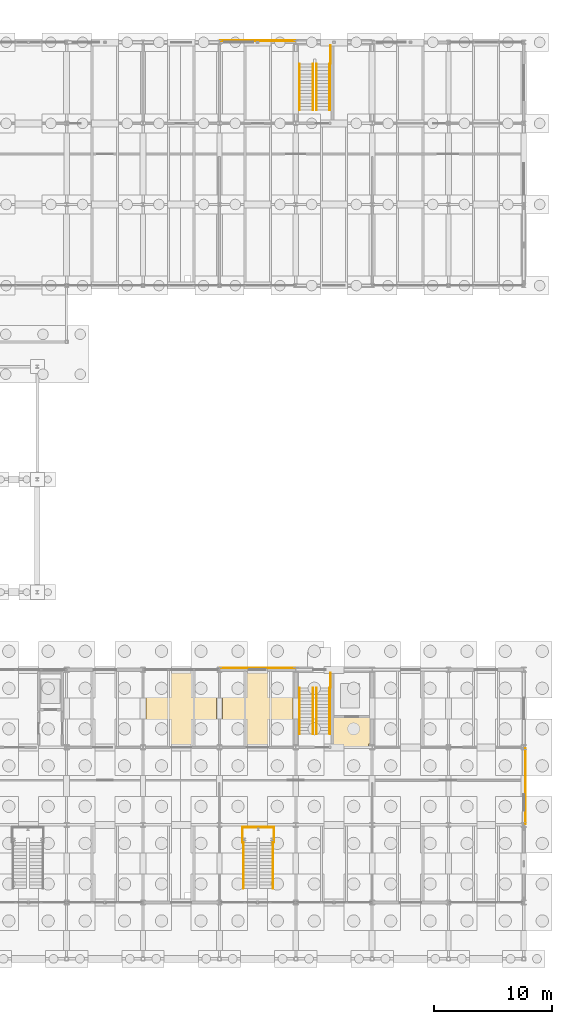
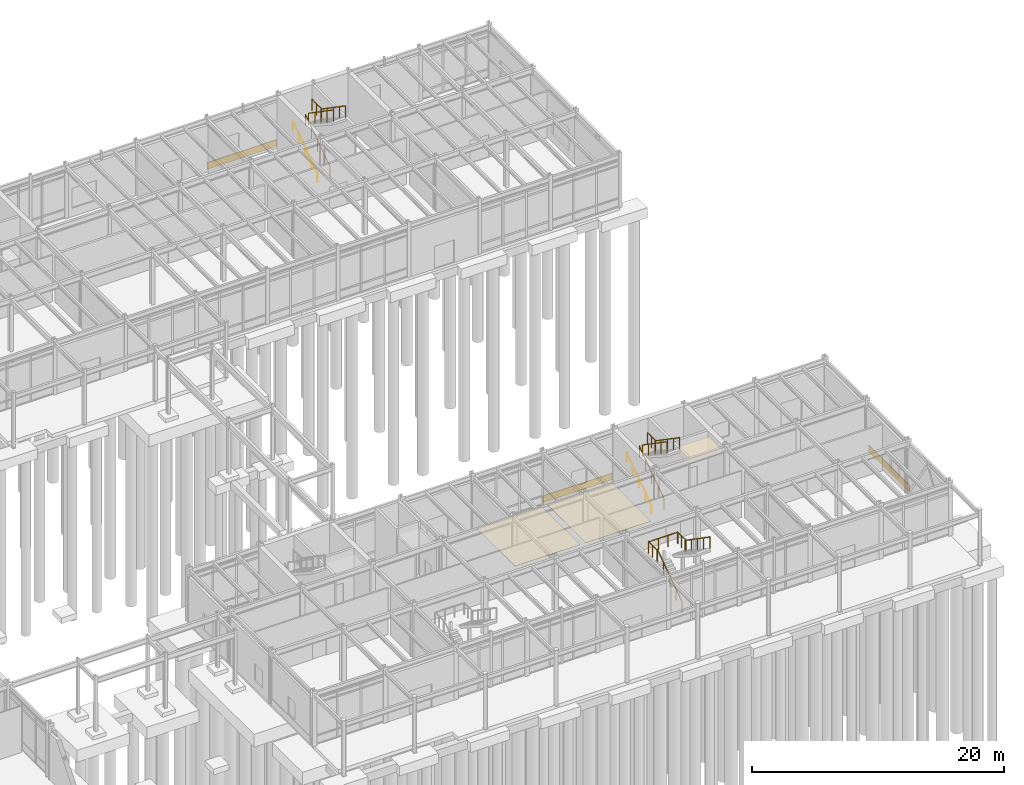
# One storey, part 81 of 82: 15 railings, 6 coverings.
"""IFC4 building model written with IfcOpenShell, lengths in metres."""

import ifcopenshell
import ifcopenshell.guid

model = None  # the IFC model being written
_history = None  # IfcOwnerHistory: only IFC2X3 demands one
_inside = {}  # id of a spatial element -> (the spatial element, [elements in it])
_under = {}  # id of a project, library or spatial element -> (it, [spatial elements below it])
_declared = {}  # id of a project -> (the project, [libraries it declares])
_typed = {}  # id of a type object -> (the type object, [elements of that type])
_made_of = {}  # id of a material, layer set ... -> (it, [elements and type objects made of it])


def new_model(schema):
    """Start an empty IFC model of exactly this schema.

    Asked for "IFC4X3", IfcOpenShell would pick the latest addendum, in which some entities
    have other attributes; the version numbers below select the first issue.
    IFC2X3 requires an IfcOwnerHistory on every rooted entity: one is made here for all.
    """
    global model, _history
    if schema == "IFC4X3":
        model = ifcopenshell.file(schema_version=(4, 3, 0, 0))
    else:
        model = ifcopenshell.file(schema=schema)
    _inside.clear()
    _under.clear()
    _declared.clear()
    _typed.clear()
    _made_of.clear()
    _history = None
    if model.schema == "IFC2X3":
        org = make("IfcOrganization", Name="unknown")
        user = make(
            "IfcPersonAndOrganization",
            ThePerson=make("IfcPerson", FamilyName="unknown"),
            TheOrganization=org,
        )
        app = make(
            "IfcApplication",
            ApplicationDeveloper=org,
            Version="unknown",
            ApplicationFullName="unknown",
            ApplicationIdentifier="unknown",
        )
        _history = make(
            "IfcOwnerHistory",
            OwningUser=user,
            OwningApplication=app,
            ChangeAction="ADDED",
            CreationDate=0,
        )
    return model


def make(cls, **values):
    """One entity of the class cls with the attributes given. An attribute that is None is left unset."""
    return model.create_entity(
        cls, **{name: value for name, value in values.items() if value is not None}
    )


def rooted(cls, **values):
    """An entity with a GlobalId (a new one), such as an element, a storey or a relation."""
    return make(cls, GlobalId=ifcopenshell.guid.new(), OwnerHistory=_history, **values)


def si_unit(unit_type, name, prefix=None):
    """IfcSIUnit, for example si_unit("LENGTHUNIT", "METRE", prefix="MILLI")."""
    return make("IfcSIUnit", UnitType=unit_type, Prefix=prefix, Name=name)


def assignment(units):
    """IfcUnitAssignment: the units of a project."""
    return None if units is None else make("IfcUnitAssignment", Units=units)


def point(xyz):
    """IfcCartesianPoint."""
    return None if xyz is None else make("IfcCartesianPoint", Coordinates=xyz)


def direction(xyz):
    """IfcDirection."""
    return None if xyz is None else make("IfcDirection", DirectionRatios=xyz)


def frame(location, z_axis=None, x_axis=None):
    """IfcAxis2Placement3D, a coordinate frame: its origin and axes. An axis left out is left unset."""
    return make(
        "IfcAxis2Placement3D",
        Location=point(location),
        Axis=direction(z_axis),
        RefDirection=direction(x_axis),
    )


def frame_2d(location, x_axis=None):
    """IfcAxis2Placement2D, a coordinate frame in the plane: its origin and x axis."""
    return make(
        "IfcAxis2Placement2D", Location=point(location), RefDirection=direction(x_axis)
    )


def origin():
    """The frame at (0, 0, 0) with its axes left unset."""
    return frame((0.0, 0.0, 0.0))


def origin_2d():
    """The frame at (0, 0) in the plane with its x axis left unset."""
    return frame_2d((0.0, 0.0))


def place(relative_to, where):
    """IfcLocalPlacement: puts the frame where relative to a parent placement (None: the world)."""
    return make(
        "IfcLocalPlacement", PlacementRelTo=relative_to, RelativePlacement=where
    )


def context(
    kind, dimensions, precision=None, world=None, true_north=None, identifier=None
):
    """IfcGeometricRepresentationContext, for example the 3D "Model" context."""
    return make(
        "IfcGeometricRepresentationContext",
        ContextIdentifier=identifier,
        ContextType=kind,
        CoordinateSpaceDimension=dimensions,
        Precision=precision,
        WorldCoordinateSystem=world,
        TrueNorth=true_north,
    )


def subcontext(parent, identifier, kind, view, scale=None):
    """IfcGeometricRepresentationSubContext, for example "Body" below "Model"."""
    return make(
        "IfcGeometricRepresentationSubContext",
        ContextIdentifier=identifier,
        ContextType=kind,
        ParentContext=parent,
        TargetScale=scale,
        TargetView=view,
    )


def project(units=None, contexts=None):
    """IfcProject with its units and contexts."""
    return rooted(
        "IfcProject",
        Name="project",
        RepresentationContexts=contexts,
        UnitsInContext=assignment(units),
    )


def spatial(cls, under=None, at=None, **own):
    """A site, building, storey or space (cls), placed at a placement, below another one or the project."""
    s = rooted(cls, ObjectPlacement=at, **own)
    if under is not None:
        _under.setdefault(under.id(), (under, []))[1].append(s)
    return s


def polyline(points):
    """IfcPolyline through the points."""
    return make("IfcPolyline", Points=[point(p) for p in points])


def profile(cls, at=None, kind="AREA", **sizes):
    """A parametric profile (cls). Its sizes go by their IFC names, for example OverallWidth=200.0."""
    return make(cls, ProfileType=kind, Position=at, **sizes)


def rectangle(**sizes):
    """IfcRectangleProfileDef."""
    return profile("IfcRectangleProfileDef", **sizes)


def circle(**sizes):
    """IfcCircleProfileDef."""
    return profile("IfcCircleProfileDef", **sizes)


def outline(outer, holes=None, kind="AREA"):
    """IfcArbitraryClosedProfileDef: a profile drawn as a closed curve; with holes, ...WithVoids."""
    if holes is None:
        return make("IfcArbitraryClosedProfileDef", ProfileType=kind, OuterCurve=outer)
    return make(
        "IfcArbitraryProfileDefWithVoids",
        ProfileType=kind,
        OuterCurve=outer,
        InnerCurves=holes,
    )


def extrude(swept, where, along, depth):
    """IfcExtrudedAreaSolid: the profile swept, set in the frame where, extruded along a direction by depth."""
    return make(
        "IfcExtrudedAreaSolid",
        SweptArea=swept,
        Position=where,
        ExtrudedDirection=direction(along),
        Depth=depth,
    )


def shape(context_of_items, identifier, shape_type, items):
    """IfcShapeRepresentation: the items that make up one representation, for example the "Body"."""
    return make(
        "IfcShapeRepresentation",
        ContextOfItems=context_of_items,
        RepresentationIdentifier=identifier,
        RepresentationType=shape_type,
        Items=items,
    )


def material(Name=None, Category=None):
    """IfcMaterial."""
    return make("IfcMaterial", Name=Name, Category=Category)


def layer(
    of_material, thickness, ventilated=None, Name=None, Category=None, Priority=None
):
    """IfcMaterialLayer: one layer of a wall or slab, of a material (None: an air gap)."""
    return make(
        "IfcMaterialLayer",
        Material=of_material,
        LayerThickness=thickness,
        IsVentilated=ventilated,
        Name=Name,
        Category=Category,
        Priority=Priority,
    )


def layer_set(layers, Name=None):
    """IfcMaterialLayerSet."""
    return make("IfcMaterialLayerSet", MaterialLayers=layers, LayerSetName=Name)


def made_of(thing, what):
    """Note that an element or type object is made of a material, layer set ...; save() writes the relation."""
    if what is not None:
        _made_of.setdefault(what.id(), (what, []))[1].append(thing)
    return thing


def type_object(cls, material=None, **own):
    """A type object (cls), such as IfcWallType, which elements share."""
    return made_of(rooted(cls, **own), material)


def element(
    cls,
    number,
    at=None,
    inside=None,
    cuts=None,
    type_object=None,
    material=None,
    context=None,
    identifier="Body",
    shape_type=None,
    held_by="IfcProductDefinitionShape",
    body=None,
    shapes=None,
    **own,
):
    """One element of the class cls, such as IfcWall. Its Tag is "e" and its number.

    at: its placement. inside: the storey or other place that contains it. cuts: it is an
    opening in that element (IfcRelVoidsElement). A single representation is given by context,
    identifier, shape_type and body (its items); several are given by shapes. held_by: the class
    of the entity that holds the representations. save() writes the other relations.
    """
    e = rooted(cls, Tag="e%d" % number, ObjectPlacement=at, **own)
    if body is not None:
        shapes = [shape(context, identifier, shape_type, body)]
    if shapes is not None:
        e.Representation = make(held_by, Representations=shapes)
    if inside is not None:
        _inside.setdefault(inside.id(), (inside, []))[1].append(e)
    if cuts is not None:
        rooted(
            "IfcRelVoidsElement", RelatingBuildingElement=cuts, RelatedOpeningElement=e
        )
    if type_object is not None:
        _typed.setdefault(type_object.id(), (type_object, []))[1].append(e)
    return made_of(e, material)


def aggregate(whole, parts):
    """IfcRelAggregates: a whole, such as a stair, and the parts it consists of."""
    return rooted("IfcRelAggregates", RelatingObject=whole, RelatedObjects=parts)


def save(model, path):
    """Write the relations noted so far, then the file.

    IfcRelAggregates (storeys below a building ...), IfcRelContainedInSpatialStructure (elements
    in a storey), IfcRelDefinesByType, IfcRelAssociatesMaterial and IfcRelDeclares: one each for
    every whole, place, type object, material and project.
    """
    for whole, parts in _under.values():
        aggregate(whole, parts)
    for where, things in _inside.values():
        rooted(
            "IfcRelContainedInSpatialStructure",
            RelatedElements=things,
            RelatingStructure=where,
        )
    for kind, things in _typed.values():
        rooted("IfcRelDefinesByType", RelatedObjects=things, RelatingType=kind)
    for what, things in _made_of.values():
        rooted("IfcRelAssociatesMaterial", RelatedObjects=things, RelatingMaterial=what)
    for by, libraries in _declared.values():
        rooted("IfcRelDeclares", RelatingContext=by, RelatedDefinitions=libraries)
    model.write(path)


model = new_model("IFC4")

# Units and contexts
model_context = context("Model", 3, precision=1e-05, world=origin(), true_north=direction((0.0, 1.0)))
body_context = subcontext(model_context, "Body", "Model", "MODEL_VIEW")
ifc_project = project(units=[si_unit("LENGTHUNIT", "METRE"), si_unit("AREAUNIT", "SQUARE_METRE"), si_unit("VOLUMEUNIT", "CUBIC_METRE"), si_unit("PLANEANGLEUNIT", "RADIAN"), si_unit("MASSUNIT", "GRAM", prefix="KILO")], contexts=[model_context])

# Site, building, storey
site_placement = place(None, origin())
site = spatial("IfcSite", under=ifc_project, at=site_placement, CompositionType="ELEMENT")
building_placement = place(site_placement, origin())
building = spatial("IfcBuilding", under=site, at=building_placement, Name="Trelmorton Wharf Fire Station", CompositionType="ELEMENT")
storey_placement = place(building_placement, origin())
storey = spatial("IfcBuildingStorey", under=building, at=storey_placement, Name="L00", CompositionType="ELEMENT", Elevation=0.0)

# Coverings
ifc_material_1 = material(Name="Mineral fibre acoustic ceiling")
ifc_layer_1 = layer(ifc_material_1, 0.02001953125)
ifc_layer_set_1 = layer_set([ifc_layer_1], Name="Mineral fibre acoustic ceiling")
covering_type_1 = type_object("IfcCoveringType", Name="CV_CEIL_ACOU", PredefinedType="CEILING", material=ifc_layer_set_1)
covering_1_placement = place(storey_placement, frame((0.0, 0.0, 4.47998046875)))
element("IfcCovering", 1, at=covering_1_placement, inside=storey, type_object=covering_type_1, Name="CV-CLG-023", PredefinedType="CEILING", context=body_context, shape_type="SweptSolid", body=[
    extrude(outline(polyline([(146.159912109375, 21.0400390625), (146.159912109375, 23.56005859375), (149.4599609375, 23.56005859375), (149.4599609375, 21.300048828125), (149.199951171875, 21.300048828125), (149.199951171875, 21.0400390625), (146.159912109375, 21.0400390625)])), origin(), (0.0, 0.0, 1.0), 0.02001953125),
])
ifc_material_2 = material(Name="Architectural terracotta cladding", Category="masonry")
ifc_layer_2 = layer(ifc_material_2, 0.044921875)
ifc_layer_set_2 = layer_set([ifc_layer_2], Name="Architectural terracotta cladding")
covering_type_2 = type_object("IfcCoveringType", Name="CV_CLAD_TER", PredefinedType="CLADDING", material=ifc_layer_set_2)
covering_2_placement = place(storey_placement, frame((139.75, 27.764892578125, 0.0302734375), z_axis=(0.0, 0.0, 1.0), x_axis=(1.0, 0.0, 0.0)))
element("IfcCovering", 2, at=covering_2_placement, inside=storey, type_object=covering_type_2, Name="CV-TER-0006", PredefinedType="CLADDING", context=body_context, shape_type="SweptSolid", body=[
    extrude(rectangle(XDim=6.3701171875, YDim=0.044921875, at=origin_2d()), origin(), (0.0, 0.0, 1.0), 0.659912109375),
])
covering_3_placement = place(storey_placement, frame((162.56494140625, 17.699951171875, 0.0302734375), z_axis=(0.0, 0.0, 1.0), x_axis=(0.0, -1.0, 0.0)))
element("IfcCovering", 3, at=covering_3_placement, inside=storey, type_object=covering_type_2, Name="CV-TER-0008", PredefinedType="CLADDING", context=body_context, shape_type="SweptSolid", body=[
    extrude(rectangle(XDim=6.469970703125, YDim=0.044921875, at=origin_2d()), origin(), (0.0, 0.0, 1.0), 0.659912109375),
])
covering_4_placement = place(storey_placement, frame((139.75, 81.135009765625, 0.0302734375), z_axis=(0.0, 0.0, 1.0), x_axis=(1.0, 0.0, 0.0)))
element("IfcCovering", 4, at=covering_4_placement, inside=storey, type_object=covering_type_2, Name="CV-TER-0036", PredefinedType="CLADDING", context=body_context, shape_type="SweptSolid", body=[
    extrude(rectangle(XDim=6.3701171875, YDim=0.044921875, at=origin_2d()), origin(), (0.0, 0.0, 1.0), 0.659912109375),
])
ifc_material_3 = material(Name="Quarry tile wet-area flooring")
ifc_layer_3 = layer(ifc_material_3, 0.02001953125)
ifc_layer_set_3 = layer_set([ifc_layer_3], Name="Quarry tile wet-area flooring")
covering_type_3 = type_object("IfcCoveringType", Name="CV_FLOR_TILE", PredefinedType="FLOORING", material=ifc_layer_set_3)
covering_5_placement = place(storey_placement, origin())
element("IfcCovering", 5, at=covering_5_placement, inside=storey, type_object=covering_type_3, Name="CV-FLR-008", PredefinedType="FLOORING", context=body_context, shape_type="SweptSolid", body=[
    extrude(outline(polyline([(136.25, 21.25), (136.25, 27.35009765625), (130.25, 27.35009765625), (130.25, 21.25), (136.25, 21.25)])), origin(), (0.0, 0.0, 1.0), 0.02001953125),
])
covering_6_placement = place(storey_placement, origin())
element("IfcCovering", 6, at=covering_6_placement, inside=storey, type_object=covering_type_3, Name="CV-FLR-009", PredefinedType="FLOORING", context=body_context, shape_type="SweptSolid", body=[
    extrude(outline(polyline([(142.75, 21.25), (142.75, 27.35009765625), (136.75, 27.35009765625), (136.75, 21.25), (142.75, 21.25)])), origin(), (0.0, 0.0, 1.0), 0.02001953125),
])

# Railings
ifc_material_4 = material(Name="Stainless steel 316 marine grade", Category="steel")
railing_type_1 = type_object("IfcRailingType", Name="RL_HAND_900", PredefinedType="HANDRAIL", material=ifc_material_4)
railing_1_placement = place(storey_placement, frame((143.31005859375, 22.139892578125, 0.0)))
element("IfcRailing", 7, at=railing_1_placement, inside=storey, type_object=railing_type_1, Name="RL-HR1-STR-C4-L00-13", PredefinedType="HANDRAIL", context=body_context, shape_type="SweptSolid", body=[
    extrude(circle(Radius=0.02099609375, at=origin_2d()), frame((0.0, 0.0, 0.87890625), z_axis=(0.0, 0.823567234665, 0.567218661528), x_axis=(-1.0, 0.0, 0.0)), (0.0, 0.0, 1.0), 4.760009765625),
    extrude(circle(Radius=0.02099609375, at=origin_2d()), origin(), (0.0, 0.0, 1.0), 0.85791015625),
    extrude(circle(Radius=0.02099609375, at=origin_2d()), frame((0.0, 0.97998046875, 0.675048828125)), (0.0, 0.0, 1.0), 0.85791015625),
    extrude(circle(Radius=0.02099609375, at=origin_2d()), frame((0.0, 1.9599609375, 1.35009765625)), (0.0, 0.0, 1.0), 0.85791015625),
    extrude(circle(Radius=0.02099609375, at=origin_2d()), frame((0.0, 2.940185546875, 2.02490234375)), (0.0, 0.0, 1.0), 0.85791015625),
    extrude(circle(Radius=0.02099609375, at=origin_2d()), frame((0.0, 3.920166015625, 2.699951171875)), (0.0, 0.0, 1.0), 0.85791015625),
])
railing_2_placement = place(storey_placement, frame((143.31005859375, 75.239990234375, 0.0)))
element("IfcRailing", 8, at=railing_2_placement, inside=storey, type_object=railing_type_1, Name="RL-HR1-STR-C8-L00-37", PredefinedType="HANDRAIL", context=body_context, shape_type="SweptSolid", body=[
    extrude(circle(Radius=0.02099609375, at=origin_2d()), frame((0.0, 0.0, 0.87890625), z_axis=(0.0, 0.823550731654, 0.567242622158), x_axis=(-1.0, 0.0, 0.0)), (0.0, 0.0, 1.0), 4.759765625),
    extrude(circle(Radius=0.02099609375, at=origin_2d()), origin(), (0.0, 0.0, 1.0), 0.85791015625),
    extrude(circle(Radius=0.02099609375, at=origin_2d()), frame((0.0, 0.97998046875, 0.675048828125)), (0.0, 0.0, 1.0), 0.85791015625),
    extrude(circle(Radius=0.02099609375, at=origin_2d()), frame((0.0, 1.9599609375, 1.35009765625)), (0.0, 0.0, 1.0), 0.85791015625),
    extrude(circle(Radius=0.02099609375, at=origin_2d()), frame((0.0, 2.93994140625, 2.02490234375)), (0.0, 0.0, 1.0), 0.85791015625),
    extrude(circle(Radius=0.02099609375, at=origin_2d()), frame((0.0, 3.919921875, 2.699951171875)), (0.0, 0.0, 1.0), 0.85791015625),
])
railing_type_2 = type_object("IfcRailingType", Name="RL_WELL_1100", PredefinedType="BALUSTRADE", material=ifc_material_4)
railing_3_placement = place(storey_placement, frame((145.955078125, 27.3349609375, 2.699951171875)))
element("IfcRailing", 9, at=railing_3_placement, inside=storey, type_object=railing_type_2, Name="RL-GW-OUT1-STR-C4-L00-13", PredefinedType="BALUSTRADE", context=body_context, shape_type="SweptSolid", body=[
    extrude(circle(Radius=0.02392578125, at=origin_2d()), frame((0.0, 0.0, 1.09619140625), z_axis=(0.0, -1.0, 0.0), x_axis=(1.0, 0.0, 0.0)), (0.0, 0.0, 1.0), 1.23486328125),
    extrude(circle(Radius=0.02099609375, at=origin_2d()), origin(), (0.0, 0.0, 1.0), 1.072021484375),
    extrude(circle(Radius=0.02099609375, at=origin_2d()), frame((0.0, -0.617431640625, 0.0)), (0.0, 0.0, 1.0), 1.072021484375),
    extrude(circle(Radius=0.02099609375, at=origin_2d()), frame((0.0, -1.23486328125, 0.0)), (0.0, 0.0, 1.0), 1.072021484375),
])
railing_4_placement = place(storey_placement, frame((145.889892578125, 26.06005859375, 2.699951171875)))
element("IfcRailing", 10, at=railing_4_placement, inside=storey, type_object=railing_type_2, Name="RL-GW-OUT2-STR-C4-L00-13", PredefinedType="BALUSTRADE", context=body_context, shape_type="SweptSolid", body=[
    extrude(circle(Radius=0.02392578125, at=origin_2d()), frame((0.0, 0.0, 1.09619140625), z_axis=(0.0, -0.823567234665, 0.567218661528), x_axis=(1.0, 0.0, 0.0)), (0.0, 0.0, 1.0), 4.760009765625),
    extrude(circle(Radius=0.02099609375, at=origin_2d()), origin(), (0.0, 0.0, 1.0), 1.072021484375),
    extrude(circle(Radius=0.02099609375, at=origin_2d()), frame((0.0, -0.97998046875, 0.675048828125)), (0.0, 0.0, 1.0), 1.072021484375),
    extrude(circle(Radius=0.02099609375, at=origin_2d()), frame((0.0, -1.9599609375, 1.35009765625)), (0.0, 0.0, 1.0), 1.072021484375),
    extrude(circle(Radius=0.02099609375, at=origin_2d()), frame((0.0, -2.940185546875, 2.02490234375)), (0.0, 0.0, 1.0), 1.072021484375),
    extrude(circle(Radius=0.02099609375, at=origin_2d()), frame((0.0, -3.920166015625, 2.699951171875)), (0.0, 0.0, 1.0), 1.072021484375),
])
railing_5_placement = place(storey_placement, frame((144.449951171875, 22.139892578125, 0.0)))
element("IfcRailing", 11, at=railing_5_placement, inside=storey, type_object=railing_type_2, Name="RL-GW-IN1-STR-C4-L00-13", PredefinedType="BALUSTRADE", context=body_context, shape_type="SweptSolid", body=[
    extrude(circle(Radius=0.02392578125, at=origin_2d()), frame((0.0, 0.0, 1.09619140625), z_axis=(0.0, 0.823567234665, 0.567218661528), x_axis=(-1.0, 0.0, 0.0)), (0.0, 0.0, 1.0), 4.760009765625),
    extrude(circle(Radius=0.02099609375, at=origin_2d()), origin(), (0.0, 0.0, 1.0), 1.072021484375),
    extrude(circle(Radius=0.02099609375, at=origin_2d()), frame((0.0, 0.97998046875, 0.675048828125)), (0.0, 0.0, 1.0), 1.072021484375),
    extrude(circle(Radius=0.02099609375, at=origin_2d()), frame((0.0, 1.9599609375, 1.35009765625)), (0.0, 0.0, 1.0), 1.072021484375),
    extrude(circle(Radius=0.02099609375, at=origin_2d()), frame((0.0, 2.940185546875, 2.02490234375)), (0.0, 0.0, 1.0), 1.072021484375),
    extrude(circle(Radius=0.02099609375, at=origin_2d()), frame((0.0, 3.920166015625, 2.699951171875)), (0.0, 0.0, 1.0), 1.072021484375),
])
railing_6_placement = place(storey_placement, frame((144.75, 26.06005859375, 2.699951171875)))
element("IfcRailing", 12, at=railing_6_placement, inside=storey, type_object=railing_type_2, Name="RL-GW-IN2-STR-C4-L00-13", PredefinedType="BALUSTRADE", context=body_context, shape_type="SweptSolid", body=[
    extrude(circle(Radius=0.02392578125, at=origin_2d()), frame((0.0, 0.0, 1.09619140625), z_axis=(0.0, -0.823567234665, 0.567218661528), x_axis=(1.0, 0.0, 0.0)), (0.0, 0.0, 1.0), 4.760009765625),
    extrude(circle(Radius=0.02099609375, at=origin_2d()), origin(), (0.0, 0.0, 1.0), 1.072021484375),
    extrude(circle(Radius=0.02099609375, at=origin_2d()), frame((0.0, -0.97998046875, 0.675048828125)), (0.0, 0.0, 1.0), 1.072021484375),
    extrude(circle(Radius=0.02099609375, at=origin_2d()), frame((0.0, -1.9599609375, 1.35009765625)), (0.0, 0.0, 1.0), 1.072021484375),
    extrude(circle(Radius=0.02099609375, at=origin_2d()), frame((0.0, -2.940185546875, 2.02490234375)), (0.0, 0.0, 1.0), 1.072021484375),
    extrude(circle(Radius=0.02099609375, at=origin_2d()), frame((0.0, -3.920166015625, 2.699951171875)), (0.0, 0.0, 1.0), 1.072021484375),
])
railing_7_placement = place(storey_placement, frame((145.955078125, 80.735107421875, 2.699951171875)))
element("IfcRailing", 13, at=railing_7_placement, inside=storey, type_object=railing_type_2, Name="RL-GW-OUT1-STR-C8-L00-37", PredefinedType="BALUSTRADE", context=body_context, shape_type="SweptSolid", body=[
    extrude(circle(Radius=0.02392578125, at=origin_2d()), frame((0.0, 0.0, 1.09619140625), z_axis=(0.0, -1.0, 0.0), x_axis=(1.0, 0.0, 0.0)), (0.0, 0.0, 1.0), 1.53515625),
    extrude(circle(Radius=0.02099609375, at=origin_2d()), origin(), (0.0, 0.0, 1.0), 1.072021484375),
    extrude(circle(Radius=0.02099609375, at=origin_2d()), frame((0.0, -0.767578125, 0.0)), (0.0, 0.0, 1.0), 1.072021484375),
    extrude(circle(Radius=0.02099609375, at=origin_2d()), frame((0.0, -1.53515625, 0.0)), (0.0, 0.0, 1.0), 1.072021484375),
])
railing_8_placement = place(storey_placement, frame((145.889892578125, 79.159912109375, 2.699951171875)))
element("IfcRailing", 14, at=railing_8_placement, inside=storey, type_object=railing_type_2, Name="RL-GW-OUT2-STR-C8-L00-37", PredefinedType="BALUSTRADE", context=body_context, shape_type="SweptSolid", body=[
    extrude(circle(Radius=0.02392578125, at=origin_2d()), frame((0.0, 0.0, 1.09619140625), z_axis=(0.0, -0.823550731654, 0.567242622158), x_axis=(1.0, 0.0, 0.0)), (0.0, 0.0, 1.0), 4.759765625),
    extrude(circle(Radius=0.02099609375, at=origin_2d()), origin(), (0.0, 0.0, 1.0), 1.072021484375),
    extrude(circle(Radius=0.02099609375, at=origin_2d()), frame((0.0, -0.97998046875, 0.675048828125)), (0.0, 0.0, 1.0), 1.072021484375),
    extrude(circle(Radius=0.02099609375, at=origin_2d()), frame((0.0, -1.9599609375, 1.35009765625)), (0.0, 0.0, 1.0), 1.072021484375),
    extrude(circle(Radius=0.02099609375, at=origin_2d()), frame((0.0, -2.93994140625, 2.02490234375)), (0.0, 0.0, 1.0), 1.072021484375),
    extrude(circle(Radius=0.02099609375, at=origin_2d()), frame((0.0, -3.919921875, 2.699951171875)), (0.0, 0.0, 1.0), 1.072021484375),
])
railing_9_placement = place(storey_placement, frame((144.449951171875, 75.239990234375, 0.0)))
element("IfcRailing", 15, at=railing_9_placement, inside=storey, type_object=railing_type_2, Name="RL-GW-IN1-STR-C8-L00-37", PredefinedType="BALUSTRADE", context=body_context, shape_type="SweptSolid", body=[
    extrude(circle(Radius=0.02392578125, at=origin_2d()), frame((0.0, 0.0, 1.09619140625), z_axis=(0.0, 0.823550731654, 0.567242622158), x_axis=(-1.0, 0.0, 0.0)), (0.0, 0.0, 1.0), 4.759765625),
    extrude(circle(Radius=0.02099609375, at=origin_2d()), origin(), (0.0, 0.0, 1.0), 1.072021484375),
    extrude(circle(Radius=0.02099609375, at=origin_2d()), frame((0.0, 0.97998046875, 0.675048828125)), (0.0, 0.0, 1.0), 1.072021484375),
    extrude(circle(Radius=0.02099609375, at=origin_2d()), frame((0.0, 1.9599609375, 1.35009765625)), (0.0, 0.0, 1.0), 1.072021484375),
    extrude(circle(Radius=0.02099609375, at=origin_2d()), frame((0.0, 2.93994140625, 2.02490234375)), (0.0, 0.0, 1.0), 1.072021484375),
    extrude(circle(Radius=0.02099609375, at=origin_2d()), frame((0.0, 3.919921875, 2.699951171875)), (0.0, 0.0, 1.0), 1.072021484375),
])
railing_10_placement = place(storey_placement, frame((144.75, 79.159912109375, 2.699951171875)))
element("IfcRailing", 16, at=railing_10_placement, inside=storey, type_object=railing_type_2, Name="RL-GW-IN2-STR-C8-L00-37", PredefinedType="BALUSTRADE", context=body_context, shape_type="SweptSolid", body=[
    extrude(circle(Radius=0.02392578125, at=origin_2d()), frame((0.0, 0.0, 1.09619140625), z_axis=(0.0, -0.823550731654, 0.567242622158), x_axis=(1.0, 0.0, 0.0)), (0.0, 0.0, 1.0), 4.759765625),
    extrude(circle(Radius=0.02099609375, at=origin_2d()), origin(), (0.0, 0.0, 1.0), 1.072021484375),
    extrude(circle(Radius=0.02099609375, at=origin_2d()), frame((0.0, -0.97998046875, 0.675048828125)), (0.0, 0.0, 1.0), 1.072021484375),
    extrude(circle(Radius=0.02099609375, at=origin_2d()), frame((0.0, -1.9599609375, 1.35009765625)), (0.0, 0.0, 1.0), 1.072021484375),
    extrude(circle(Radius=0.02099609375, at=origin_2d()), frame((0.0, -2.93994140625, 2.02490234375)), (0.0, 0.0, 1.0), 1.072021484375),
    extrude(circle(Radius=0.02099609375, at=origin_2d()), frame((0.0, -3.919921875, 2.699951171875)), (0.0, 0.0, 1.0), 1.072021484375),
])
railing_11_placement = place(storey_placement, frame((138.530029296875, 9.0, 0.0)))
element("IfcRailing", 17, at=railing_11_placement, inside=storey, type_object=railing_type_2, Name="RL-STS-05-F1", PredefinedType="BALUSTRADE", context=body_context, shape_type="SweptSolid", body=[
    extrude(circle(Radius=0.02392578125, at=origin_2d()), frame((0.0, 0.0, 1.09619140625), z_axis=(0.0, 0.823550731654, 0.567242622158), x_axis=(-1.0, 0.0, 0.0)), (0.0, 0.0, 1.0), 4.759765625),
    extrude(circle(Radius=0.02099609375, at=origin_2d()), origin(), (0.0, 0.0, 1.0), 1.072021484375),
    extrude(circle(Radius=0.02099609375, at=origin_2d()), frame((0.0, 0.97998046875, 0.675048828125)), (0.0, 0.0, 1.0), 1.072021484375),
    extrude(circle(Radius=0.02099609375, at=origin_2d()), frame((0.0, 1.9599609375, 1.35009765625)), (0.0, 0.0, 1.0), 1.072021484375),
    extrude(circle(Radius=0.02099609375, at=origin_2d()), frame((0.0, 2.93994140625, 2.02490234375)), (0.0, 0.0, 1.0), 1.072021484375),
    extrude(circle(Radius=0.02099609375, at=origin_2d()), frame((0.0, 3.919921875, 2.699951171875)), (0.0, 0.0, 1.0), 1.072021484375),
])
railing_12_placement = place(storey_placement, frame((141.070068359375, 12.919921875, 2.699951171875)))
element("IfcRailing", 18, at=railing_12_placement, inside=storey, type_object=railing_type_2, Name="RL-STS-05-F2", PredefinedType="BALUSTRADE", context=body_context, shape_type="SweptSolid", body=[
    extrude(circle(Radius=0.02392578125, at=origin_2d()), frame((0.0, 0.0, 1.09619140625), z_axis=(0.0, -0.823550731654, 0.567242622158), x_axis=(1.0, 0.0, 0.0)), (0.0, 0.0, 1.0), 4.759765625),
    extrude(circle(Radius=0.02099609375, at=origin_2d()), origin(), (0.0, 0.0, 1.0), 1.072021484375),
    extrude(circle(Radius=0.02099609375, at=origin_2d()), frame((0.0, -0.97998046875, 0.675048828125)), (0.0, 0.0, 1.0), 1.072021484375),
    extrude(circle(Radius=0.02099609375, at=origin_2d()), frame((0.0, -1.9599609375, 1.35009765625)), (0.0, 0.0, 1.0), 1.072021484375),
    extrude(circle(Radius=0.02099609375, at=origin_2d()), frame((0.0, -2.93994140625, 2.02490234375)), (0.0, 0.0, 1.0), 1.072021484375),
    extrude(circle(Radius=0.02099609375, at=origin_2d()), frame((0.0, -3.919921875, 2.699951171875)), (0.0, 0.0, 1.0), 1.072021484375),
])
railing_13_placement = place(storey_placement, frame((138.4599609375, 14.199951171875, 2.699951171875)))
element("IfcRailing", 19, at=railing_13_placement, inside=storey, type_object=railing_type_2, Name="RL-STS-05-LB", PredefinedType="BALUSTRADE", context=body_context, shape_type="SweptSolid", body=[
    extrude(circle(Radius=0.02392578125, at=origin_2d()), frame((0.0, 0.0, 1.09619140625), z_axis=(1.0, 0.0, 0.0), x_axis=(0.0, 1.0, 0.0)), (0.0, 0.0, 1.0), 2.679931640625),
    extrude(circle(Radius=0.02099609375, at=origin_2d()), origin(), (0.0, 0.0, 1.0), 1.072021484375),
    extrude(circle(Radius=0.02099609375, at=origin_2d()), frame((0.893310546875, 0.0, 0.0)), (0.0, 0.0, 1.0), 1.072021484375),
    extrude(circle(Radius=0.02099609375, at=origin_2d()), frame((1.78662109375, 0.0, 0.0)), (0.0, 0.0, 1.0), 1.072021484375),
    extrude(circle(Radius=0.02099609375, at=origin_2d()), frame((2.679931640625, 0.0, 0.0)), (0.0, 0.0, 1.0), 1.072021484375),
])
for number, where, name in (
    (20, (138.469970703125, 12.919921875, 2.699951171875), "RL-STS-05-LW"),
    (21, (141.1298828125, 12.919921875, 2.699951171875), "RL-STS-05-LE"),
):
    element("IfcRailing", number, at=place(storey_placement, frame(where)), inside=storey, type_object=railing_type_2, Name=name, PredefinedType="BALUSTRADE", context=body_context, shape_type="SweptSolid", body=[
        extrude(circle(Radius=0.02392578125, at=origin_2d()), frame((0.0, 0.0, 1.09619140625), z_axis=(0.0, 1.0, 0.0), x_axis=(-1.0, 0.0, 0.0)), (0.0, 0.0, 1.0), 1.300048828125),
        extrude(circle(Radius=0.02099609375, at=origin_2d()), origin(), (0.0, 0.0, 1.0), 1.072021484375),
        extrude(circle(Radius=0.02099609375, at=origin_2d()), frame((0.0, 0.64990234375, 0.0)), (0.0, 0.0, 1.0), 1.072021484375),
        extrude(circle(Radius=0.02099609375, at=origin_2d()), frame((0.0, 1.300048828125, 0.0)), (0.0, 0.0, 1.0), 1.072021484375),
    ])

save(model, "model.ifc")
